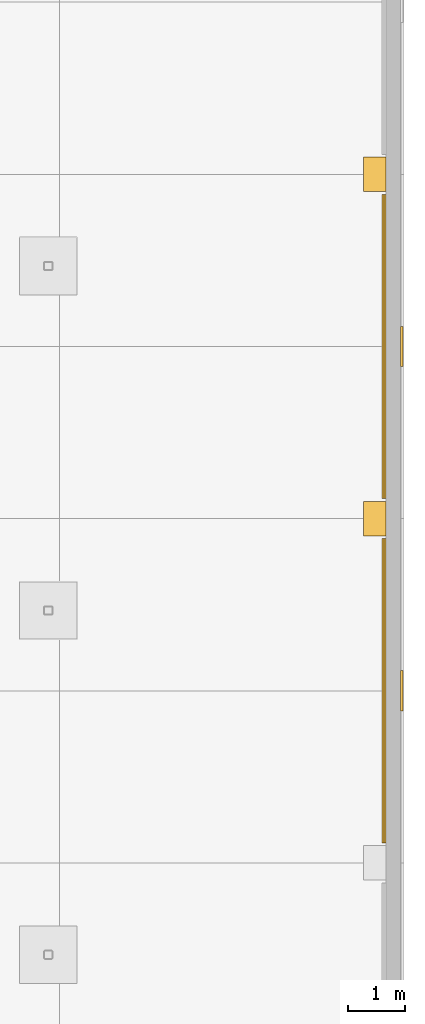
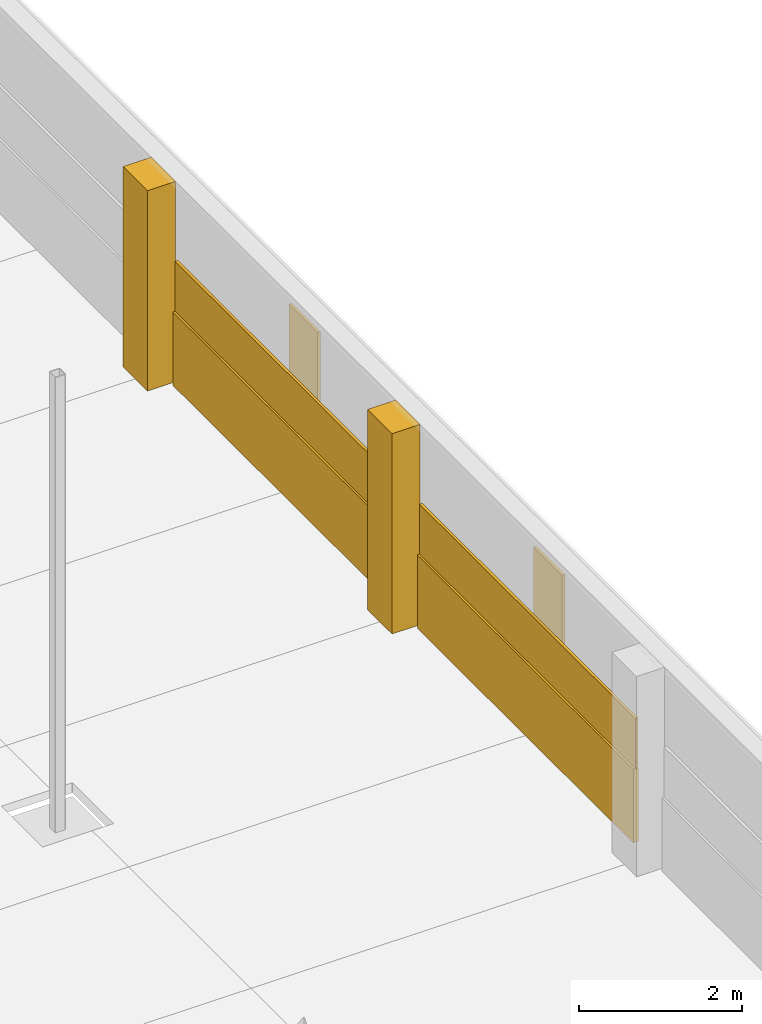
# One storey, part 74 of 95: 8 coverings.
"""IFC4 building model written with IfcOpenShell, lengths in metres."""

import ifcopenshell
import ifcopenshell.guid

model = None  # the IFC model being written
_history = None  # IfcOwnerHistory: only IFC2X3 demands one
_inside = {}  # id of a spatial element -> (the spatial element, [elements in it])
_under = {}  # id of a project, library or spatial element -> (it, [spatial elements below it])
_declared = {}  # id of a project -> (the project, [libraries it declares])
_typed = {}  # id of a type object -> (the type object, [elements of that type])
_made_of = {}  # id of a material, layer set ... -> (it, [elements and type objects made of it])


def new_model(schema):
    """Start an empty IFC model of exactly this schema.

    Asked for "IFC4X3", IfcOpenShell would pick the latest addendum, in which some entities
    have other attributes; the version numbers below select the first issue.
    IFC2X3 requires an IfcOwnerHistory on every rooted entity: one is made here for all.
    """
    global model, _history
    if schema == "IFC4X3":
        model = ifcopenshell.file(schema_version=(4, 3, 0, 0))
    else:
        model = ifcopenshell.file(schema=schema)
    _inside.clear()
    _under.clear()
    _declared.clear()
    _typed.clear()
    _made_of.clear()
    _history = None
    if model.schema == "IFC2X3":
        org = make("IfcOrganization", Name="unknown")
        user = make(
            "IfcPersonAndOrganization",
            ThePerson=make("IfcPerson", FamilyName="unknown"),
            TheOrganization=org,
        )
        app = make(
            "IfcApplication",
            ApplicationDeveloper=org,
            Version="unknown",
            ApplicationFullName="unknown",
            ApplicationIdentifier="unknown",
        )
        _history = make(
            "IfcOwnerHistory",
            OwningUser=user,
            OwningApplication=app,
            ChangeAction="ADDED",
            CreationDate=0,
        )
    return model


def make(cls, **values):
    """One entity of the class cls with the attributes given. An attribute that is None is left unset."""
    return model.create_entity(
        cls, **{name: value for name, value in values.items() if value is not None}
    )


def rooted(cls, **values):
    """An entity with a GlobalId (a new one), such as an element, a storey or a relation."""
    return make(cls, GlobalId=ifcopenshell.guid.new(), OwnerHistory=_history, **values)


def si_unit(unit_type, name, prefix=None):
    """IfcSIUnit, for example si_unit("LENGTHUNIT", "METRE", prefix="MILLI")."""
    return make("IfcSIUnit", UnitType=unit_type, Prefix=prefix, Name=name)


def assignment(units):
    """IfcUnitAssignment: the units of a project."""
    return None if units is None else make("IfcUnitAssignment", Units=units)


def point(xyz):
    """IfcCartesianPoint."""
    return None if xyz is None else make("IfcCartesianPoint", Coordinates=xyz)


def direction(xyz):
    """IfcDirection."""
    return None if xyz is None else make("IfcDirection", DirectionRatios=xyz)


def frame(location, z_axis=None, x_axis=None):
    """IfcAxis2Placement3D, a coordinate frame: its origin and axes. An axis left out is left unset."""
    return make(
        "IfcAxis2Placement3D",
        Location=point(location),
        Axis=direction(z_axis),
        RefDirection=direction(x_axis),
    )


def frame_2d(location, x_axis=None):
    """IfcAxis2Placement2D, a coordinate frame in the plane: its origin and x axis."""
    return make(
        "IfcAxis2Placement2D", Location=point(location), RefDirection=direction(x_axis)
    )


def origin():
    """The frame at (0, 0, 0) with its axes left unset."""
    return frame((0.0, 0.0, 0.0))


def origin_2d():
    """The frame at (0, 0) in the plane with its x axis left unset."""
    return frame_2d((0.0, 0.0))


def place(relative_to, where):
    """IfcLocalPlacement: puts the frame where relative to a parent placement (None: the world)."""
    return make(
        "IfcLocalPlacement", PlacementRelTo=relative_to, RelativePlacement=where
    )


def context(
    kind, dimensions, precision=None, world=None, true_north=None, identifier=None
):
    """IfcGeometricRepresentationContext, for example the 3D "Model" context."""
    return make(
        "IfcGeometricRepresentationContext",
        ContextIdentifier=identifier,
        ContextType=kind,
        CoordinateSpaceDimension=dimensions,
        Precision=precision,
        WorldCoordinateSystem=world,
        TrueNorth=true_north,
    )


def subcontext(parent, identifier, kind, view, scale=None):
    """IfcGeometricRepresentationSubContext, for example "Body" below "Model"."""
    return make(
        "IfcGeometricRepresentationSubContext",
        ContextIdentifier=identifier,
        ContextType=kind,
        ParentContext=parent,
        TargetScale=scale,
        TargetView=view,
    )


def project(units=None, contexts=None):
    """IfcProject with its units and contexts."""
    return rooted(
        "IfcProject",
        Name="project",
        RepresentationContexts=contexts,
        UnitsInContext=assignment(units),
    )


def spatial(cls, under=None, at=None, **own):
    """A site, building, storey or space (cls), placed at a placement, below another one or the project."""
    s = rooted(cls, ObjectPlacement=at, **own)
    if under is not None:
        _under.setdefault(under.id(), (under, []))[1].append(s)
    return s


def profile(cls, at=None, kind="AREA", **sizes):
    """A parametric profile (cls). Its sizes go by their IFC names, for example OverallWidth=200.0."""
    return make(cls, ProfileType=kind, Position=at, **sizes)


def rectangle(**sizes):
    """IfcRectangleProfileDef."""
    return profile("IfcRectangleProfileDef", **sizes)


def extrude(swept, where, along, depth):
    """IfcExtrudedAreaSolid: the profile swept, set in the frame where, extruded along a direction by depth."""
    return make(
        "IfcExtrudedAreaSolid",
        SweptArea=swept,
        Position=where,
        ExtrudedDirection=direction(along),
        Depth=depth,
    )


def shape(context_of_items, identifier, shape_type, items):
    """IfcShapeRepresentation: the items that make up one representation, for example the "Body"."""
    return make(
        "IfcShapeRepresentation",
        ContextOfItems=context_of_items,
        RepresentationIdentifier=identifier,
        RepresentationType=shape_type,
        Items=items,
    )


def material(Name=None, Category=None):
    """IfcMaterial."""
    return make("IfcMaterial", Name=Name, Category=Category)


def layer(
    of_material, thickness, ventilated=None, Name=None, Category=None, Priority=None
):
    """IfcMaterialLayer: one layer of a wall or slab, of a material (None: an air gap)."""
    return make(
        "IfcMaterialLayer",
        Material=of_material,
        LayerThickness=thickness,
        IsVentilated=ventilated,
        Name=Name,
        Category=Category,
        Priority=Priority,
    )


def layer_set(layers, Name=None):
    """IfcMaterialLayerSet."""
    return make("IfcMaterialLayerSet", MaterialLayers=layers, LayerSetName=Name)


def made_of(thing, what):
    """Note that an element or type object is made of a material, layer set ...; save() writes the relation."""
    if what is not None:
        _made_of.setdefault(what.id(), (what, []))[1].append(thing)
    return thing


def type_object(cls, material=None, **own):
    """A type object (cls), such as IfcWallType, which elements share."""
    return made_of(rooted(cls, **own), material)


def element(
    cls,
    number,
    at=None,
    inside=None,
    cuts=None,
    type_object=None,
    material=None,
    context=None,
    identifier="Body",
    shape_type=None,
    held_by="IfcProductDefinitionShape",
    body=None,
    shapes=None,
    **own,
):
    """One element of the class cls, such as IfcWall. Its Tag is "e" and its number.

    at: its placement. inside: the storey or other place that contains it. cuts: it is an
    opening in that element (IfcRelVoidsElement). A single representation is given by context,
    identifier, shape_type and body (its items); several are given by shapes. held_by: the class
    of the entity that holds the representations. save() writes the other relations.
    """
    e = rooted(cls, Tag="e%d" % number, ObjectPlacement=at, **own)
    if body is not None:
        shapes = [shape(context, identifier, shape_type, body)]
    if shapes is not None:
        e.Representation = make(held_by, Representations=shapes)
    if inside is not None:
        _inside.setdefault(inside.id(), (inside, []))[1].append(e)
    if cuts is not None:
        rooted(
            "IfcRelVoidsElement", RelatingBuildingElement=cuts, RelatedOpeningElement=e
        )
    if type_object is not None:
        _typed.setdefault(type_object.id(), (type_object, []))[1].append(e)
    return made_of(e, material)


def aggregate(whole, parts):
    """IfcRelAggregates: a whole, such as a stair, and the parts it consists of."""
    return rooted("IfcRelAggregates", RelatingObject=whole, RelatedObjects=parts)


def save(model, path):
    """Write the relations noted so far, then the file.

    IfcRelAggregates (storeys below a building ...), IfcRelContainedInSpatialStructure (elements
    in a storey), IfcRelDefinesByType, IfcRelAssociatesMaterial and IfcRelDeclares: one each for
    every whole, place, type object, material and project.
    """
    for whole, parts in _under.values():
        aggregate(whole, parts)
    for where, things in _inside.values():
        rooted(
            "IfcRelContainedInSpatialStructure",
            RelatedElements=things,
            RelatingStructure=where,
        )
    for kind, things in _typed.values():
        rooted("IfcRelDefinesByType", RelatedObjects=things, RelatingType=kind)
    for what, things in _made_of.values():
        rooted("IfcRelAssociatesMaterial", RelatedObjects=things, RelatingMaterial=what)
    for by, libraries in _declared.values():
        rooted("IfcRelDeclares", RelatingContext=by, RelatedDefinitions=libraries)
    model.write(path)


model = new_model("IFC4")

# Units and contexts
model_context = context("Model", 3, precision=1e-05, world=origin(), true_north=direction((0.0, 1.0)))
body_context = subcontext(model_context, "Body", "Model", "MODEL_VIEW")
ifc_project = project(units=[si_unit("LENGTHUNIT", "METRE"), si_unit("AREAUNIT", "SQUARE_METRE"), si_unit("VOLUMEUNIT", "CUBIC_METRE"), si_unit("PLANEANGLEUNIT", "RADIAN"), si_unit("MASSUNIT", "GRAM", prefix="KILO")], contexts=[model_context])

# Site, building, storey
site_placement = place(None, origin())
site = spatial("IfcSite", under=ifc_project, at=site_placement, CompositionType="ELEMENT")
building_placement = place(site_placement, origin())
building = spatial("IfcBuilding", under=site, at=building_placement, Name="Saffron Lane Theatres", CompositionType="ELEMENT")
storey_placement = place(building_placement, origin())
storey = spatial("IfcBuildingStorey", under=building, at=storey_placement, Name="L00", CompositionType="ELEMENT", Elevation=0.0)

# Coverings
ifc_material_1 = material(Name="Masonry sandstone", Category="masonry")
ifc_layer_1 = layer(ifc_material_1, 0.0400390625)
ifc_layer_set_1 = layer_set([ifc_layer_1], Name="Masonry sandstone")
covering_type_1 = type_object("IfcCoveringType", Name="EX-BANDING COURSE SANDSTONE 40", PredefinedType="CLADDING", material=ifc_layer_set_1)
for number, where, z_axis, x_axis, name in (
    (1, (65.669921875, 54.0, 1.10009765625), (0.0, 0.0, 1.0), (0.0, 1.0, 0.0), "Banding course L00"),
    (2, (65.669921875, 60.0, 1.10009765625), (0.0, 0.0, 1.0), (0.0, 1.0, 0.0), "Banding course L00"),
):
    element("IfcCovering", number, at=place(storey_placement, frame(where, z_axis=z_axis, x_axis=x_axis)), inside=storey, type_object=covering_type_1, Name=name, PredefinedType="CLADDING", context=body_context, shape_type="SweptSolid", body=[
        extrude(rectangle(XDim=5.300048828125, YDim=0.0400390625, at=origin_2d()), origin(), (0.0, 0.0, 1.0), 0.75),
    ])
ifc_material_2 = material(Name="Masonry sandstone", Category="masonry")
ifc_layer_2 = layer(ifc_material_2, 0.39990234375)
ifc_layer_set_2 = layer_set([ifc_layer_2], Name="Masonry sandstone")
covering_type_2 = type_object("IfcCoveringType", Name="EX-BOUNDARY PILASTER SANDSTONE 400", PredefinedType="CLADDING", material=ifc_layer_set_2)
for number, where, z_axis, x_axis, name in (
    (3, (65.489990234375, 57.0, 0.0), (0.0, 0.0, 1.0), (0.0, 1.0, 0.0), "Boundary wall pilaster L00"),
    (4, (65.489990234375, 63.0, 0.0), (0.0, 0.0, 1.0), (0.0, 1.0, 0.0), "Boundary wall pilaster L00"),
):
    element("IfcCovering", number, at=place(storey_placement, frame(where, z_axis=z_axis, x_axis=x_axis)), inside=storey, type_object=covering_type_2, Name=name, PredefinedType="CLADDING", context=body_context, shape_type="SweptSolid", body=[
        extrude(rectangle(XDim=0.60009765625, YDim=0.39990234375, at=origin_2d()), origin(), (0.0, 0.0, 1.0), 3.0),
    ])
ifc_material_3 = material(Name="Face brick cladding, pale buff", Category="masonry")
ifc_layer_3 = layer(ifc_material_3, 0.0400390625)
ifc_layer_set_3 = layer_set([ifc_layer_3], Name="Face brick cladding, pale buff")
covering_type_3 = type_object("IfcCoveringType", Name="EX-FACE BRICK SKIN PALE BUFF 40", PredefinedType="CLADDING", material=ifc_layer_set_3)
for number, where, z_axis, x_axis, name in (
    (5, (65.9599609375, 54.0, 0.4501953125), (0.0, 0.0, 1.0), (0.0, 1.0, 0.0), "Face brick cladding, pale buff L00"),
    (6, (65.9599609375, 60.0, 0.4501953125), (0.0, 0.0, 1.0), (0.0, 1.0, 0.0), "Face brick cladding, pale buff L00"),
):
    element("IfcCovering", number, at=place(storey_placement, frame(where, z_axis=z_axis, x_axis=x_axis)), inside=storey, type_object=covering_type_3, Name=name, PredefinedType="CLADDING", context=body_context, shape_type="SweptSolid", body=[
        extrude(rectangle(XDim=0.699951171875, YDim=0.0400390625, at=origin_2d()), origin(), (0.0, 0.0, 1.0), 2.050048828125),
    ])
ifc_material_4 = material(Name="Masonry sandstone", Category="masonry")
ifc_layer_4 = layer(ifc_material_4, 0.070068359375)
ifc_layer_set_4 = layer_set([ifc_layer_4], Name="Masonry sandstone")
covering_type_4 = type_object("IfcCoveringType", Name="EX-PLINTH COURSE SANDSTONE 70", PredefinedType="CLADDING", material=ifc_layer_set_4)
for number, where, z_axis, x_axis, name in (
    (7, (65.655029296875, 54.0, 0.0), (0.0, 0.0, 1.0), (0.0, 1.0, 0.0), "Plinth course L00"),
    (8, (65.655029296875, 60.0, 0.0), (0.0, 0.0, 1.0), (0.0, 1.0, 0.0), "Plinth course L00"),
):
    element("IfcCovering", number, at=place(storey_placement, frame(where, z_axis=z_axis, x_axis=x_axis)), inside=storey, type_object=covering_type_4, Name=name, PredefinedType="CLADDING", context=body_context, shape_type="SweptSolid", body=[
        extrude(rectangle(XDim=5.300048828125, YDim=0.070068359375, at=origin_2d()), origin(), (0.0, 0.0, 1.0), 1.10009765625),
    ])

save(model, "model.ifc")
